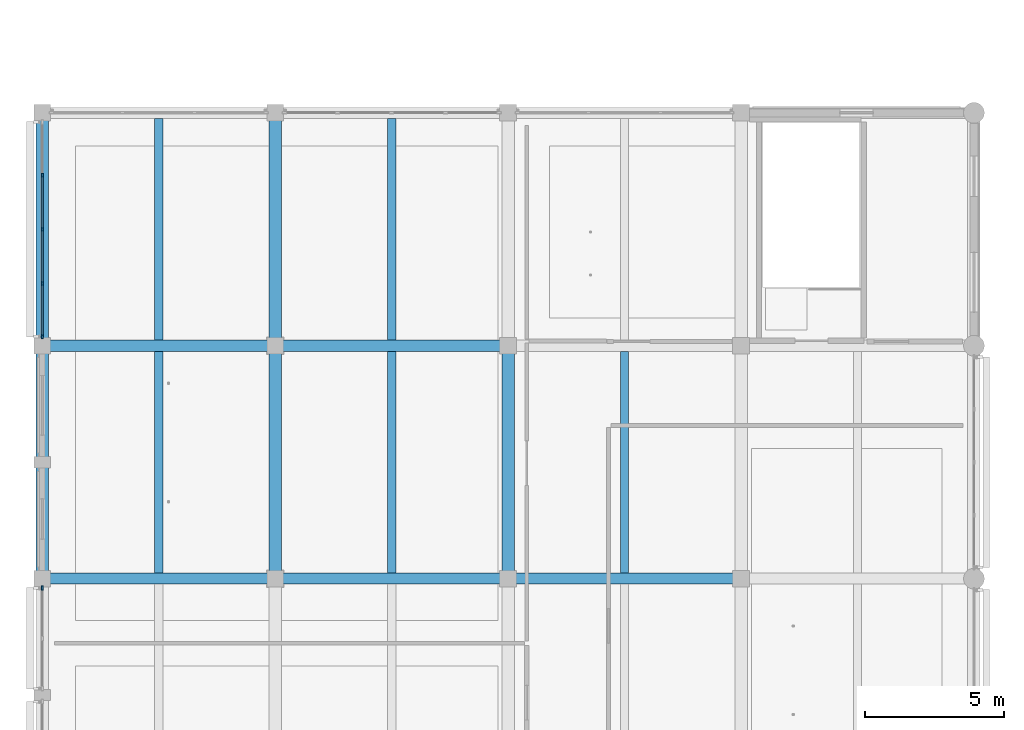
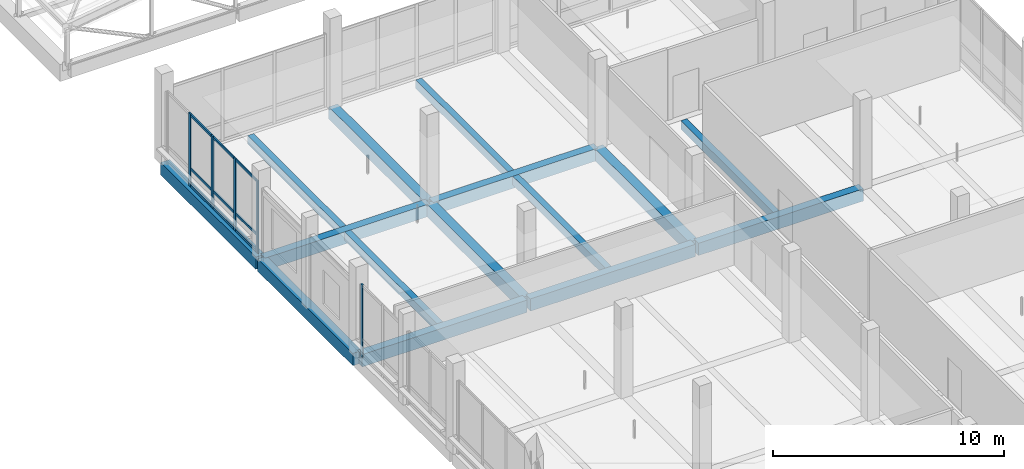
# One storey, part 12 of 122: 15 beams, 14 members, 2 elements without a shape of their own.
"""IFC4 building model written with IfcOpenShell, lengths in metres."""

from ifc_helpers import new_model, si_unit, direction, frame, origin, origin_2d, place, context, subcontext, project, spatial, rectangle, extrude, material, layer, layer_set, material_profile, profile_set, type_object, element, aggregate, save


model = new_model("IFC4")

# Units and contexts
model_context = context("Model", 3, precision=1e-05, world=origin(), true_north=direction((0.0, 1.0)))
body_context = subcontext(model_context, "Body", "Model", "MODEL_VIEW")
ifc_project = project(units=[si_unit("LENGTHUNIT", "METRE"), si_unit("AREAUNIT", "SQUARE_METRE"), si_unit("VOLUMEUNIT", "CUBIC_METRE"), si_unit("PLANEANGLEUNIT", "RADIAN"), si_unit("MASSUNIT", "GRAM", prefix="KILO")], contexts=[model_context])

# Site, building, storey
site_placement = place(None, origin())
site = spatial("IfcSite", under=ifc_project, at=site_placement, CompositionType="ELEMENT")
building_placement = place(site_placement, origin())
building = spatial("IfcBuilding", under=site, at=building_placement, Name="Telukmera Botanical Conservatory", CompositionType="ELEMENT")
storey_placement = place(building_placement, frame((0.0, 0.0, 10.199951171875)))
storey = spatial("IfcBuildingStorey", under=building, at=storey_placement, Name="L02", CompositionType="ELEMENT", Elevation=10.199951171875)

# Beams
ifc_material_1 = material(Name="Concrete C40/50", Category="concrete")
ifc_material_profile_1 = material_profile(ifc_material_1, rectangle(XDim=0.449951171875, YDim=0.64990234375, at=origin_2d()), Name="RC 450x650")
ifc_profile_set_1 = profile_set([ifc_material_profile_1], Name="Concrete C40/50")
beam_type_1 = type_object("IfcBeamType", Name="Beam_B16", PredefinedType="BEAM", material=ifc_profile_set_1)
for number, where, z_axis, x_axis, name in (
    (1, (8.39990234375, 58.080078125, -0.324951171875), (0.0, 1.0, 0.0), (-1.0, 0.0, 0.0), "Visitor Wing Transverse Beam L02"),
    (2, (8.39990234375, 66.47998046875, -0.324951171875), (0.0, 1.0, 0.0), (-1.0, 0.0, 0.0), "Visitor Wing Transverse Beam L02"),
    (3, (16.800048828125, 58.080078125, -0.324951171875), (0.0, 1.0, 0.0), (-1.0, 0.0, 0.0), "Visitor Wing Transverse Beam L02"),
    (4, (16.800048828125, 66.47998046875, -0.324951171875), (0.0, 1.0, 0.0), (-1.0, 0.0, 0.0), "Visitor Wing Transverse Beam L02"),
    (5, (25.199951171875, 58.080078125, -0.324951171875), (0.0, 1.0, 0.0), (-1.0, 0.0, 0.0), "Visitor Wing Transverse Beam L02"),
):
    element("IfcBeam", number, at=place(storey_placement, frame(where, z_axis=z_axis, x_axis=x_axis)), inside=storey, type_object=beam_type_1, Name=name, PredefinedType="BEAM", context=body_context, shape_type="SweptSolid", body=[
        extrude(rectangle(XDim=0.449951171875, YDim=0.64990234375, at=origin_2d()), origin(), (0.0, 0.0, 1.0), 8.239990234375),
    ])
ifc_material_profile_2 = material_profile(ifc_material_1, rectangle(XDim=0.300048828125, YDim=0.449951171875, at=origin_2d()), Name="RC 300x450")
ifc_profile_set_2 = profile_set([ifc_material_profile_2], Name="Concrete C40/50")
beam_type_2 = type_object("IfcBeamType", Name="Beam_B25", PredefinedType="JOIST", material=ifc_profile_set_2)
for number, where, z_axis, x_axis, name in (
    (6, (12.60009765625, 58.199951171875, -0.224853515625), (0.0, 1.0, 0.0), (-1.0, 0.0, 0.0), "Visitor Wing Floor Joist L02"),
    (7, (12.60009765625, 66.60009765625, -0.224853515625), (0.0, 1.0, 0.0), (-1.0, 0.0, 0.0), "Visitor Wing Floor Joist L02"),
    (8, (21.0, 58.199951171875, -0.224853515625), (0.0, 1.0, 0.0), (-1.0, 0.0, 0.0), "Visitor Wing Floor Joist L02"),
    (9, (21.0, 66.60009765625, -0.224853515625), (0.0, 1.0, 0.0), (-1.0, 0.0, 0.0), "Visitor Wing Floor Joist L02"),
    (10, (29.39990234375, 58.199951171875, -0.224853515625), (0.0, 1.0, 0.0), (-1.0, 0.0, 0.0), "Visitor Wing Floor Joist L02"),
):
    element("IfcBeam", number, at=place(storey_placement, frame(where, z_axis=z_axis, x_axis=x_axis)), inside=storey, type_object=beam_type_2, Name=name, PredefinedType="JOIST", context=body_context, shape_type="SweptSolid", body=[
        extrude(rectangle(XDim=0.300048828125, YDim=0.449951171875, at=origin_2d()), origin(), (0.0, 0.0, 1.0), 8.0),
    ])
ifc_material_profile_3 = material_profile(ifc_material_1, rectangle(XDim=0.39990234375, YDim=0.64990234375, at=origin_2d()), Name="RC 400x650")
ifc_profile_set_3 = profile_set([ifc_material_profile_3], Name="Concrete C40/50")
beam_type_3 = type_object("IfcBeamType", Name="Beam_B8", PredefinedType="BEAM", material=ifc_profile_set_3)
beam_1_placement = place(storey_placement, frame((8.47998046875, 58.0, -0.324951171875), z_axis=(1.0, 0.0, 0.0), x_axis=(0.0, 1.0, 0.0)))
element("IfcBeam", 11, at=beam_1_placement, inside=storey, type_object=beam_type_3, Name="Visitor Wing Grid Beam L02", PredefinedType="BEAM", context=body_context, shape_type="SweptSolid", body=[
    extrude(rectangle(XDim=0.39990234375, YDim=0.64990234375, at=origin_2d()), origin(), (0.0, 0.0, 1.0), 8.239990234375),
])
beam_2_placement = place(storey_placement, frame((16.8798828125, 58.0, -0.324951171875), z_axis=(1.0, 0.0, 0.0), x_axis=(0.0, 1.0, 0.0)))
element("IfcBeam", 12, at=beam_2_placement, inside=storey, type_object=beam_type_3, Name="Visitor Wing Grid Beam L02", PredefinedType="BEAM", context=body_context, shape_type="SweptSolid", body=[
    extrude(rectangle(XDim=0.39990234375, YDim=0.64990234375, at=origin_2d()), origin(), (0.0, 0.0, 1.0), 8.240234375),
])
for number, where, z_axis, x_axis, name in (
    (13, (25.280029296875, 58.0, -0.324951171875), (1.0, 0.0, 0.0), (0.0, 1.0, 0.0), "Visitor Wing Grid Beam L02"),
    (14, (8.47998046875, 66.39990234375, -0.324951171875), (1.0, 0.0, 0.0), (0.0, 1.0, 0.0), "Visitor Wing Grid Beam L02"),
):
    element("IfcBeam", number, at=place(storey_placement, frame(where, z_axis=z_axis, x_axis=x_axis)), inside=storey, type_object=beam_type_3, Name=name, PredefinedType="BEAM", context=body_context, shape_type="SweptSolid", body=[
        extrude(rectangle(XDim=0.39990234375, YDim=0.64990234375, at=origin_2d()), origin(), (0.0, 0.0, 1.0), 8.239990234375),
    ])
beam_3_placement = place(storey_placement, frame((16.8798828125, 66.39990234375, -0.324951171875), z_axis=(1.0, 0.0, 0.0), x_axis=(0.0, 1.0, 0.0)))
element("IfcBeam", 15, at=beam_3_placement, inside=storey, type_object=beam_type_3, Name="Visitor Wing Grid Beam L02", PredefinedType="BEAM", context=body_context, shape_type="SweptSolid", body=[
    extrude(rectangle(XDim=0.39990234375, YDim=0.64990234375, at=origin_2d()), origin(), (0.0, 0.0, 1.0), 8.240234375),
])

# Curtain wall, member
ifc_material_2 = material(Name="Anodised aluminium 6063-T6", Category="aluminium")
ifc_layer = layer(ifc_material_2, 0.179931640625)
ifc_layer_set = layer_set([ifc_layer], Name="Anodised aluminium 6063-T6")
curtain_wall_type = type_object("IfcCurtainWallType", Name="Visitor Gallery First Floor Curtain Wall 1800 Mod", PredefinedType="USERDEFINED", material=ifc_layer_set)
curtain_wall_1_placement = place(storey_placement, origin())
curtain_wall_1 = element("IfcCurtainWall", 16, at=curtain_wall_1_placement, inside=storey, type_object=curtain_wall_type, Name="Unitised Curtain Wall CW08 V3:L02:W5B", ObjectType="UNITISED CURTAIN WALL", PredefinedType="USERDEFINED")
ifc_material_profile_4 = material_profile(ifc_material_2, rectangle(XDim=0.06494140625, YDim=0.159912109375, at=origin_2d()), Name="ALU MULL 65x160")
ifc_profile_set_4 = profile_set([ifc_material_profile_4], Name="Anodised aluminium 6063-T6")
member_type_1 = type_object("IfcMemberType", Name="Curtain Wall Extruded Mullion 65x160", PredefinedType="MULLION", material=ifc_profile_set_4)
member_1_placement = place(storey_placement, frame((8.39990234375, 57.66552734375, 0.0), z_axis=(0.0, 0.0, 1.0), x_axis=(-1.0, 0.0, 0.0)))
member_1 = element("IfcMember", 17, at=member_1_placement, type_object=member_type_1, Name="CW08 mullion 3", PredefinedType="MULLION", context=body_context, shape_type="SweptSolid", body=[
    extrude(rectangle(XDim=0.06494140625, YDim=0.159912109375, at=origin_2d()), origin(), (0.0, 0.0, 1.0), 3.85009765625),
])
aggregate(curtain_wall_1, [member_1])

# Curtain wall, members
curtain_wall_2_placement = place(storey_placement, origin())
curtain_wall_2 = element("IfcCurtainWall", 18, at=curtain_wall_2_placement, inside=storey, type_object=curtain_wall_type, Name="Unitised Curtain Wall CW08 V3:L02:W7", ObjectType="UNITISED CURTAIN WALL", PredefinedType="USERDEFINED")
member_2_placement = place(storey_placement, frame((8.39990234375, 66.734619140625, 0.0), z_axis=(0.0, 0.0, 1.0), x_axis=(-1.0, 0.0, 0.0)))
member_2 = element("IfcMember", 19, at=member_2_placement, type_object=member_type_1, Name="CW08 mullion 1", PredefinedType="MULLION", context=body_context, shape_type="SweptSolid", body=[
    extrude(rectangle(XDim=0.06494140625, YDim=0.159912109375, at=origin_2d()), origin(), (0.0, 0.0, 1.0), 3.85009765625),
])
member_3_placement = place(storey_placement, frame((8.39990234375, 68.65087890625, 0.0), z_axis=(0.0, 0.0, 1.0), x_axis=(-1.0, 0.0, 0.0)))
member_3 = element("IfcMember", 20, at=member_3_placement, type_object=member_type_1, Name="CW08 mullion 2", PredefinedType="MULLION", context=body_context, shape_type="SweptSolid", body=[
    extrude(rectangle(XDim=0.06494140625, YDim=0.159912109375, at=origin_2d()), origin(), (0.0, 0.0, 1.0), 3.85009765625),
])
member_4_placement = place(storey_placement, frame((8.39990234375, 70.60009765625, 0.0), z_axis=(0.0, 0.0, 1.0), x_axis=(-1.0, 0.0, 0.0)))
member_4 = element("IfcMember", 21, at=member_4_placement, type_object=member_type_1, Name="CW08 mullion 3", PredefinedType="MULLION", context=body_context, shape_type="SweptSolid", body=[
    extrude(rectangle(XDim=0.06494140625, YDim=0.159912109375, at=origin_2d()), origin(), (0.0, 0.0, 1.0), 3.85009765625),
])
member_5_placement = place(storey_placement, frame((8.39990234375, 72.549072265625, 0.0), z_axis=(0.0, 0.0, 1.0), x_axis=(-1.0, 0.0, 0.0)))
member_5 = element("IfcMember", 22, at=member_5_placement, type_object=member_type_1, Name="CW08 mullion 4", PredefinedType="MULLION", context=body_context, shape_type="SweptSolid", body=[
    extrude(rectangle(XDim=0.06494140625, YDim=0.159912109375, at=origin_2d()), origin(), (0.0, 0.0, 1.0), 3.85009765625),
])
ifc_material_profile_5 = material_profile(ifc_material_2, rectangle(XDim=0.06494140625, YDim=0.1298828125, at=origin_2d()), Name="ALU TRAN 65x130")
ifc_profile_set_5 = profile_set([ifc_material_profile_5], Name="Anodised aluminium 6063-T6")
member_type_2 = type_object("IfcMemberType", Name="Curtain Wall Extruded Transom 65x130", PredefinedType="USERDEFINED", material=ifc_profile_set_5)
member_6_placement = place(storey_placement, frame((8.39990234375, 66.76708984375, 0.06494140625), z_axis=(0.0, 1.0, 0.0), x_axis=(-1.0, 0.0, 0.0)))
member_6 = element("IfcMember", 23, at=member_6_placement, type_object=member_type_2, Name="CW08 transom 1.1", ObjectType="TRANSOM", PredefinedType="USERDEFINED", context=body_context, shape_type="SweptSolid", body=[
    extrude(rectangle(XDim=0.06494140625, YDim=0.1298828125, at=origin_2d()), origin(), (0.0, 0.0, 1.0), 1.851318359375),
])
member_7_placement = place(storey_placement, frame((8.39990234375, 66.76708984375, 0.949951171875), z_axis=(0.0, 1.0, 0.0), x_axis=(-1.0, 0.0, 0.0)))
member_7 = element("IfcMember", 24, at=member_7_placement, type_object=member_type_2, Name="CW08 transom 1.2", ObjectType="TRANSOM", PredefinedType="USERDEFINED", context=body_context, shape_type="SweptSolid", body=[
    extrude(rectangle(XDim=0.06494140625, YDim=0.1298828125, at=origin_2d()), origin(), (0.0, 0.0, 1.0), 1.851318359375),
])
member_8_placement = place(storey_placement, frame((8.39990234375, 66.76708984375, 3.78515625), z_axis=(0.0, 1.0, 0.0), x_axis=(-1.0, 0.0, 0.0)))
member_8 = element("IfcMember", 25, at=member_8_placement, type_object=member_type_2, Name="CW08 transom 1.3", ObjectType="TRANSOM", PredefinedType="USERDEFINED", context=body_context, shape_type="SweptSolid", body=[
    extrude(rectangle(XDim=0.06494140625, YDim=0.1298828125, at=origin_2d()), origin(), (0.0, 0.0, 1.0), 1.851318359375),
])
member_9_placement = place(storey_placement, frame((8.39990234375, 68.68359375, 0.06494140625), z_axis=(0.0, 1.0, 0.0), x_axis=(-1.0, 0.0, 0.0)))
member_9 = element("IfcMember", 26, at=member_9_placement, type_object=member_type_2, Name="CW08 transom 2.1", ObjectType="TRANSOM", PredefinedType="USERDEFINED", context=body_context, shape_type="SweptSolid", body=[
    extrude(rectangle(XDim=0.06494140625, YDim=0.1298828125, at=origin_2d()), origin(), (0.0, 0.0, 1.0), 1.8837890625),
])
member_10_placement = place(storey_placement, frame((8.39990234375, 68.68359375, 0.949951171875), z_axis=(0.0, 1.0, 0.0), x_axis=(-1.0, 0.0, 0.0)))
member_10 = element("IfcMember", 27, at=member_10_placement, type_object=member_type_2, Name="CW08 transom 2.2", ObjectType="TRANSOM", PredefinedType="USERDEFINED", context=body_context, shape_type="SweptSolid", body=[
    extrude(rectangle(XDim=0.06494140625, YDim=0.1298828125, at=origin_2d()), origin(), (0.0, 0.0, 1.0), 1.8837890625),
])
member_11_placement = place(storey_placement, frame((8.39990234375, 68.68359375, 3.78515625), z_axis=(0.0, 1.0, 0.0), x_axis=(-1.0, 0.0, 0.0)))
member_11 = element("IfcMember", 28, at=member_11_placement, type_object=member_type_2, Name="CW08 transom 2.3", ObjectType="TRANSOM", PredefinedType="USERDEFINED", context=body_context, shape_type="SweptSolid", body=[
    extrude(rectangle(XDim=0.06494140625, YDim=0.1298828125, at=origin_2d()), origin(), (0.0, 0.0, 1.0), 1.8837890625),
])
member_12_placement = place(storey_placement, frame((8.39990234375, 70.632568359375, 0.06494140625), z_axis=(0.0, 1.0, 0.0), x_axis=(-1.0, 0.0, 0.0)))
member_12 = element("IfcMember", 29, at=member_12_placement, type_object=member_type_2, Name="CW08 transom 3.1", ObjectType="TRANSOM", PredefinedType="USERDEFINED", context=body_context, shape_type="SweptSolid", body=[
    extrude(rectangle(XDim=0.06494140625, YDim=0.1298828125, at=origin_2d()), origin(), (0.0, 0.0, 1.0), 1.884033203125),
])
member_13_placement = place(storey_placement, frame((8.39990234375, 70.632568359375, 0.949951171875), z_axis=(0.0, 1.0, 0.0), x_axis=(-1.0, 0.0, 0.0)))
member_13 = element("IfcMember", 30, at=member_13_placement, type_object=member_type_2, Name="CW08 transom 3.2", ObjectType="TRANSOM", PredefinedType="USERDEFINED", context=body_context, shape_type="SweptSolid", body=[
    extrude(rectangle(XDim=0.06494140625, YDim=0.1298828125, at=origin_2d()), origin(), (0.0, 0.0, 1.0), 1.884033203125),
])
member_14_placement = place(storey_placement, frame((8.39990234375, 70.632568359375, 3.78515625), z_axis=(0.0, 1.0, 0.0), x_axis=(-1.0, 0.0, 0.0)))
member_14 = element("IfcMember", 31, at=member_14_placement, type_object=member_type_2, Name="CW08 transom 3.3", ObjectType="TRANSOM", PredefinedType="USERDEFINED", context=body_context, shape_type="SweptSolid", body=[
    extrude(rectangle(XDim=0.06494140625, YDim=0.1298828125, at=origin_2d()), origin(), (0.0, 0.0, 1.0), 1.884033203125),
])
aggregate(curtain_wall_2, [member_2, member_3, member_4, member_5, member_6, member_7, member_8, member_9, member_10, member_11, member_12, member_13, member_14])

save(model, "model.ifc")
